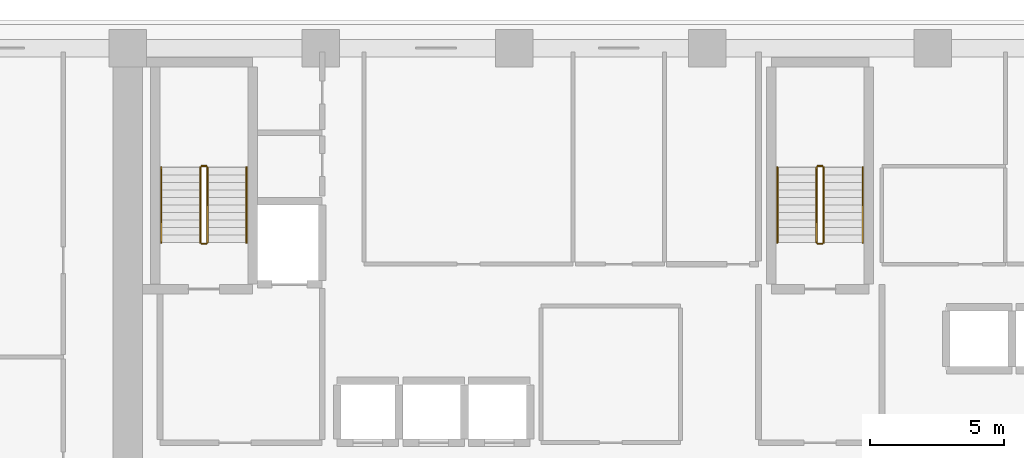
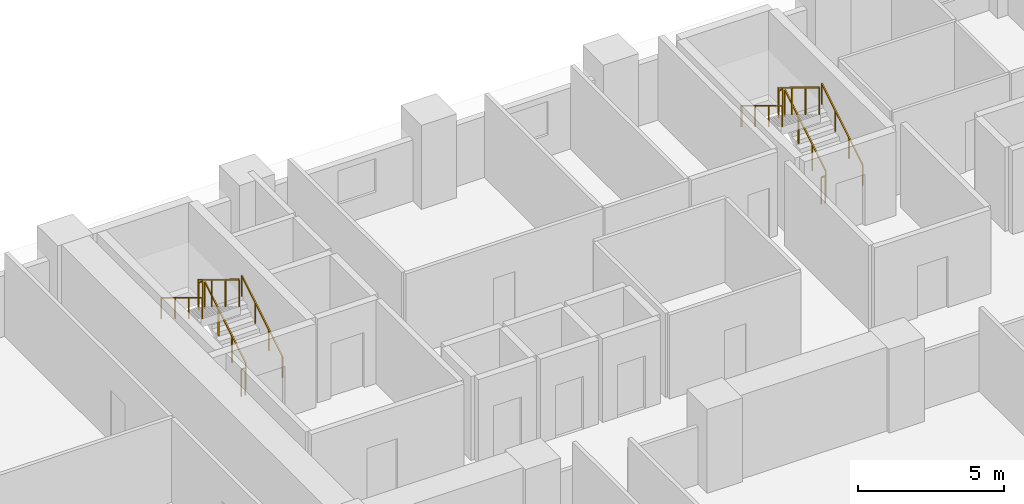
# One storey, part 13 of 15: 12 railings.
"""IFC4 building model written with IfcOpenShell, lengths in metres."""

from ifc_helpers import new_model, si_unit, direction, frame, origin, origin_2d, place, context, subcontext, project, spatial, rectangle, extrude, material, type_object, element, save


model = new_model("IFC4")

# Units and contexts
model_context = context("Model", 3, precision=1e-05, world=origin(), true_north=direction((0.0, 1.0)))
body_context = subcontext(model_context, "Body", "Model", "MODEL_VIEW")
ifc_project = project(units=[si_unit("LENGTHUNIT", "METRE"), si_unit("AREAUNIT", "SQUARE_METRE"), si_unit("VOLUMEUNIT", "CUBIC_METRE"), si_unit("PLANEANGLEUNIT", "RADIAN"), si_unit("MASSUNIT", "GRAM", prefix="KILO")], contexts=[model_context])

# Site, building, storey
site_placement = place(None, origin())
site = spatial("IfcSite", under=ifc_project, at=site_placement, CompositionType="ELEMENT")
building_placement = place(site_placement, origin())
building = spatial("IfcBuilding", under=site, at=building_placement, Name="Kaelvorn Grand Hotel", CompositionType="ELEMENT")
storey_placement = place(building_placement, frame((0.0, 0.0, 46.39990234375)))
storey = spatial("IfcBuildingStorey", under=building, at=storey_placement, Name="L09", CompositionType="ELEMENT", Elevation=46.39990234375)

# Railings
ifc_material = material(Name="Stainless Steel", Category="steel")
railing_type_1 = type_object("IfcRailingType", Name="RL-HANDRAIL-900", PredefinedType="HANDRAIL", material=ifc_material)
railing_1_placement = place(storey_placement, frame((20.6298828125, 41.760009765625, 0.170654296875)))
element("IfcRailing", 1, at=railing_1_placement, inside=storey, type_object=railing_type_1, Name="L09 ST1 stair handrail 1", PredefinedType="HANDRAIL", context=body_context, shape_type="SweptSolid", body=[
    extrude(rectangle(XDim=0.048095703125, YDim=0.048095703125, at=origin_2d()), frame((0.0, 0.0, 0.8759765625), z_axis=(0.0, 0.854202870247, 0.519939858505), x_axis=(-1.0, 0.0, 0.0)), (0.0, 0.0, 1.0), 3.278076171875),
    extrude(rectangle(XDim=0.0419921875, YDim=0.0419921875, at=origin_2d()), origin(), (0.0, 0.0, 1.0), 0.851806640625),
    extrude(rectangle(XDim=0.0419921875, YDim=0.0419921875, at=origin_2d()), frame((0.0, 0.933349609375, 0.568115234375)), (0.0, 0.0, 1.0), 0.851806640625),
    extrude(rectangle(XDim=0.0419921875, YDim=0.0419921875, at=origin_2d()), frame((0.0, 1.86669921875, 1.13623046875)), (0.0, 0.0, 1.0), 0.851806640625),
    extrude(rectangle(XDim=0.0419921875, YDim=0.0419921875, at=origin_2d()), frame((0.0, 2.800048828125, 1.704345703125)), (0.0, 0.0, 1.0), 0.851806640625),
])
railing_2_placement = place(storey_placement, frame((17.449951171875, 44.56005859375, 2.045654296875)))
element("IfcRailing", 2, at=railing_2_placement, inside=storey, type_object=railing_type_1, Name="L09 ST1 stair handrail 2", PredefinedType="HANDRAIL", context=body_context, shape_type="SweptSolid", body=[
    extrude(rectangle(XDim=0.048095703125, YDim=0.048095703125, at=origin_2d()), frame((0.0, 0.0, 0.8759765625), z_axis=(0.0, -0.854202870247, 0.519939858505), x_axis=(1.0, 0.0, 0.0)), (0.0, 0.0, 1.0), 3.278076171875),
    extrude(rectangle(XDim=0.0419921875, YDim=0.0419921875, at=origin_2d()), origin(), (0.0, 0.0, 1.0), 0.851806640625),
    extrude(rectangle(XDim=0.0419921875, YDim=0.0419921875, at=origin_2d()), frame((0.0, -0.933349609375, 0.568115234375)), (0.0, 0.0, 1.0), 0.851806640625),
    extrude(rectangle(XDim=0.0419921875, YDim=0.0419921875, at=origin_2d()), frame((0.0, -1.86669921875, 1.13623046875)), (0.0, 0.0, 1.0), 0.851806640625),
    extrude(rectangle(XDim=0.0419921875, YDim=0.0419921875, at=origin_2d()), frame((0.0, -2.800048828125, 1.704345703125)), (0.0, 0.0, 1.0), 0.851806640625),
])
railing_3_placement = place(storey_placement, frame((43.590087890625, 41.760009765625, 0.170654296875)))
element("IfcRailing", 3, at=railing_3_placement, inside=storey, type_object=railing_type_1, Name="L09 ST2 stair handrail 1", PredefinedType="HANDRAIL", context=body_context, shape_type="SweptSolid", body=[
    extrude(rectangle(XDim=0.048095703125, YDim=0.048095703125, at=origin_2d()), frame((0.0, 0.0, 0.8759765625), z_axis=(0.0, 0.854202870247, 0.519939858505), x_axis=(-1.0, 0.0, 0.0)), (0.0, 0.0, 1.0), 3.278076171875),
    extrude(rectangle(XDim=0.0419921875, YDim=0.0419921875, at=origin_2d()), origin(), (0.0, 0.0, 1.0), 0.851806640625),
    extrude(rectangle(XDim=0.0419921875, YDim=0.0419921875, at=origin_2d()), frame((0.0, 0.933349609375, 0.568115234375)), (0.0, 0.0, 1.0), 0.851806640625),
    extrude(rectangle(XDim=0.0419921875, YDim=0.0419921875, at=origin_2d()), frame((0.0, 1.86669921875, 1.13623046875)), (0.0, 0.0, 1.0), 0.851806640625),
    extrude(rectangle(XDim=0.0419921875, YDim=0.0419921875, at=origin_2d()), frame((0.0, 2.800048828125, 1.704345703125)), (0.0, 0.0, 1.0), 0.851806640625),
])
railing_4_placement = place(storey_placement, frame((40.409912109375, 44.56005859375, 2.045654296875)))
element("IfcRailing", 4, at=railing_4_placement, inside=storey, type_object=railing_type_1, Name="L09 ST2 stair handrail 2", PredefinedType="HANDRAIL", context=body_context, shape_type="SweptSolid", body=[
    extrude(rectangle(XDim=0.048095703125, YDim=0.048095703125, at=origin_2d()), frame((0.0, 0.0, 0.8759765625), z_axis=(0.0, -0.854202870247, 0.519939858505), x_axis=(1.0, 0.0, 0.0)), (0.0, 0.0, 1.0), 3.278076171875),
    extrude(rectangle(XDim=0.0419921875, YDim=0.0419921875, at=origin_2d()), origin(), (0.0, 0.0, 1.0), 0.851806640625),
    extrude(rectangle(XDim=0.0419921875, YDim=0.0419921875, at=origin_2d()), frame((0.0, -0.933349609375, 0.568115234375)), (0.0, 0.0, 1.0), 0.851806640625),
    extrude(rectangle(XDim=0.0419921875, YDim=0.0419921875, at=origin_2d()), frame((0.0, -1.86669921875, 1.13623046875)), (0.0, 0.0, 1.0), 0.851806640625),
    extrude(rectangle(XDim=0.0419921875, YDim=0.0419921875, at=origin_2d()), frame((0.0, -2.800048828125, 1.704345703125)), (0.0, 0.0, 1.0), 0.851806640625),
])
railing_type_2 = type_object("IfcRailingType", Name="RL-STAIR-GUARD-1150", PredefinedType="BALUSTRADE", material=ifc_material)
railing_5_placement = place(storey_placement, frame((19.169921875, 41.760009765625, 0.170654296875)))
element("IfcRailing", 5, at=railing_5_placement, inside=storey, type_object=railing_type_2, Name="L09 ST1 stair guard 1", PredefinedType="BALUSTRADE", context=body_context, shape_type="SweptSolid", body=[
    extrude(rectangle(XDim=0.048095703125, YDim=0.048095703125, at=origin_2d()), frame((0.0, 0.0, 1.1259765625), z_axis=(0.0, 0.854202870247, 0.519939858505), x_axis=(-1.0, 0.0, 0.0)), (0.0, 0.0, 1.0), 3.278076171875),
    extrude(rectangle(XDim=0.0419921875, YDim=0.0419921875, at=origin_2d()), origin(), (0.0, 0.0, 1.0), 1.101806640625),
    extrude(rectangle(XDim=0.0419921875, YDim=0.0419921875, at=origin_2d()), frame((0.0, 0.933349609375, 0.568115234375)), (0.0, 0.0, 1.0), 1.101806640625),
    extrude(rectangle(XDim=0.0419921875, YDim=0.0419921875, at=origin_2d()), frame((0.0, 1.86669921875, 1.13623046875)), (0.0, 0.0, 1.0), 1.101806640625),
    extrude(rectangle(XDim=0.0419921875, YDim=0.0419921875, at=origin_2d()), frame((0.0, 2.800048828125, 1.704345703125)), (0.0, 0.0, 1.0), 1.101806640625),
])
railing_6_placement = place(storey_placement, frame((19.1201171875, 44.610107421875, 1.875)))
element("IfcRailing", 6, at=railing_6_placement, inside=storey, type_object=railing_type_2, Name="L09 ST1 stair guard 2", PredefinedType="BALUSTRADE", context=body_context, shape_type="SweptSolid", body=[
    extrude(rectangle(XDim=0.048095703125, YDim=0.048095703125, at=origin_2d()), frame((0.0, 0.0, 1.1259765625), z_axis=(-1.0, 0.0, 0.0), x_axis=(0.0, -1.0, 0.0)), (0.0, 0.0, 1.0), 0.16015625),
    extrude(rectangle(XDim=0.0419921875, YDim=0.0419921875, at=origin_2d()), origin(), (0.0, 0.0, 1.0), 1.101806640625),
    extrude(rectangle(XDim=0.0419921875, YDim=0.0419921875, at=origin_2d()), frame((-0.16015625, 0.0, 0.0)), (0.0, 0.0, 1.0), 1.101806640625),
])
railing_7_placement = place(storey_placement, frame((18.909912109375, 44.56005859375, 2.045654296875)))
element("IfcRailing", 7, at=railing_7_placement, inside=storey, type_object=railing_type_2, Name="L09 ST1 stair guard 3", PredefinedType="BALUSTRADE", context=body_context, shape_type="SweptSolid", body=[
    extrude(rectangle(XDim=0.048095703125, YDim=0.048095703125, at=origin_2d()), frame((0.0, 0.0, 1.1259765625), z_axis=(0.0, -0.854202870247, 0.519939858505), x_axis=(1.0, 0.0, 0.0)), (0.0, 0.0, 1.0), 3.278076171875),
    extrude(rectangle(XDim=0.0419921875, YDim=0.0419921875, at=origin_2d()), origin(), (0.0, 0.0, 1.0), 1.101806640625),
    extrude(rectangle(XDim=0.0419921875, YDim=0.0419921875, at=origin_2d()), frame((0.0, -0.933349609375, 0.568115234375)), (0.0, 0.0, 1.0), 1.101806640625),
    extrude(rectangle(XDim=0.0419921875, YDim=0.0419921875, at=origin_2d()), frame((0.0, -1.86669921875, 1.13623046875)), (0.0, 0.0, 1.0), 1.101806640625),
    extrude(rectangle(XDim=0.0419921875, YDim=0.0419921875, at=origin_2d()), frame((0.0, -2.800048828125, 1.704345703125)), (0.0, 0.0, 1.0), 1.101806640625),
])
railing_8_placement = place(storey_placement, frame((19.1201171875, 41.7099609375, 0.0)))
element("IfcRailing", 8, at=railing_8_placement, inside=storey, type_object=railing_type_2, Name="L09 ST1 stair guard 4", PredefinedType="BALUSTRADE", context=body_context, shape_type="SweptSolid", body=[
    extrude(rectangle(XDim=0.048095703125, YDim=0.048095703125, at=origin_2d()), frame((0.0, 0.0, 1.1259765625), z_axis=(-1.0, 0.0, 0.0), x_axis=(0.0, -1.0, 0.0)), (0.0, 0.0, 1.0), 0.16015625),
    extrude(rectangle(XDim=0.0419921875, YDim=0.0419921875, at=origin_2d()), origin(), (0.0, 0.0, 1.0), 1.101806640625),
    extrude(rectangle(XDim=0.0419921875, YDim=0.0419921875, at=origin_2d()), frame((-0.16015625, 0.0, 0.0)), (0.0, 0.0, 1.0), 1.101806640625),
])
railing_9_placement = place(storey_placement, frame((42.1298828125, 41.760009765625, 0.170654296875)))
element("IfcRailing", 9, at=railing_9_placement, inside=storey, type_object=railing_type_2, Name="L09 ST2 stair guard 1", PredefinedType="BALUSTRADE", context=body_context, shape_type="SweptSolid", body=[
    extrude(rectangle(XDim=0.048095703125, YDim=0.048095703125, at=origin_2d()), frame((0.0, 0.0, 1.1259765625), z_axis=(0.0, 0.854202870247, 0.519939858505), x_axis=(-1.0, 0.0, 0.0)), (0.0, 0.0, 1.0), 3.278076171875),
    extrude(rectangle(XDim=0.0419921875, YDim=0.0419921875, at=origin_2d()), origin(), (0.0, 0.0, 1.0), 1.101806640625),
    extrude(rectangle(XDim=0.0419921875, YDim=0.0419921875, at=origin_2d()), frame((0.0, 0.933349609375, 0.568115234375)), (0.0, 0.0, 1.0), 1.101806640625),
    extrude(rectangle(XDim=0.0419921875, YDim=0.0419921875, at=origin_2d()), frame((0.0, 1.86669921875, 1.13623046875)), (0.0, 0.0, 1.0), 1.101806640625),
    extrude(rectangle(XDim=0.0419921875, YDim=0.0419921875, at=origin_2d()), frame((0.0, 2.800048828125, 1.704345703125)), (0.0, 0.0, 1.0), 1.101806640625),
])
railing_10_placement = place(storey_placement, frame((42.080078125, 44.610107421875, 1.875)))
element("IfcRailing", 10, at=railing_10_placement, inside=storey, type_object=railing_type_2, Name="L09 ST2 stair guard 2", PredefinedType="BALUSTRADE", context=body_context, shape_type="SweptSolid", body=[
    extrude(rectangle(XDim=0.048095703125, YDim=0.048095703125, at=origin_2d()), frame((0.0, 0.0, 1.1259765625), z_axis=(-1.0, 0.0, 0.0), x_axis=(0.0, -1.0, 0.0)), (0.0, 0.0, 1.0), 0.16015625),
    extrude(rectangle(XDim=0.0419921875, YDim=0.0419921875, at=origin_2d()), origin(), (0.0, 0.0, 1.0), 1.101806640625),
    extrude(rectangle(XDim=0.0419921875, YDim=0.0419921875, at=origin_2d()), frame((-0.16015625, 0.0, 0.0)), (0.0, 0.0, 1.0), 1.101806640625),
])
railing_11_placement = place(storey_placement, frame((41.8701171875, 44.56005859375, 2.045654296875)))
element("IfcRailing", 11, at=railing_11_placement, inside=storey, type_object=railing_type_2, Name="L09 ST2 stair guard 3", PredefinedType="BALUSTRADE", context=body_context, shape_type="SweptSolid", body=[
    extrude(rectangle(XDim=0.048095703125, YDim=0.048095703125, at=origin_2d()), frame((0.0, 0.0, 1.1259765625), z_axis=(0.0, -0.854202870247, 0.519939858505), x_axis=(1.0, 0.0, 0.0)), (0.0, 0.0, 1.0), 3.278076171875),
    extrude(rectangle(XDim=0.0419921875, YDim=0.0419921875, at=origin_2d()), origin(), (0.0, 0.0, 1.0), 1.101806640625),
    extrude(rectangle(XDim=0.0419921875, YDim=0.0419921875, at=origin_2d()), frame((0.0, -0.933349609375, 0.568115234375)), (0.0, 0.0, 1.0), 1.101806640625),
    extrude(rectangle(XDim=0.0419921875, YDim=0.0419921875, at=origin_2d()), frame((0.0, -1.86669921875, 1.13623046875)), (0.0, 0.0, 1.0), 1.101806640625),
    extrude(rectangle(XDim=0.0419921875, YDim=0.0419921875, at=origin_2d()), frame((0.0, -2.800048828125, 1.704345703125)), (0.0, 0.0, 1.0), 1.101806640625),
])
railing_12_placement = place(storey_placement, frame((42.080078125, 41.7099609375, 0.0)))
element("IfcRailing", 12, at=railing_12_placement, inside=storey, type_object=railing_type_2, Name="L09 ST2 stair guard 4", PredefinedType="BALUSTRADE", context=body_context, shape_type="SweptSolid", body=[
    extrude(rectangle(XDim=0.048095703125, YDim=0.048095703125, at=origin_2d()), frame((0.0, 0.0, 1.1259765625), z_axis=(-1.0, 0.0, 0.0), x_axis=(0.0, -1.0, 0.0)), (0.0, 0.0, 1.0), 0.16015625),
    extrude(rectangle(XDim=0.0419921875, YDim=0.0419921875, at=origin_2d()), origin(), (0.0, 0.0, 1.0), 1.101806640625),
    extrude(rectangle(XDim=0.0419921875, YDim=0.0419921875, at=origin_2d()), frame((-0.16015625, 0.0, 0.0)), (0.0, 0.0, 1.0), 1.101806640625),
])

save(model, "model.ifc")
